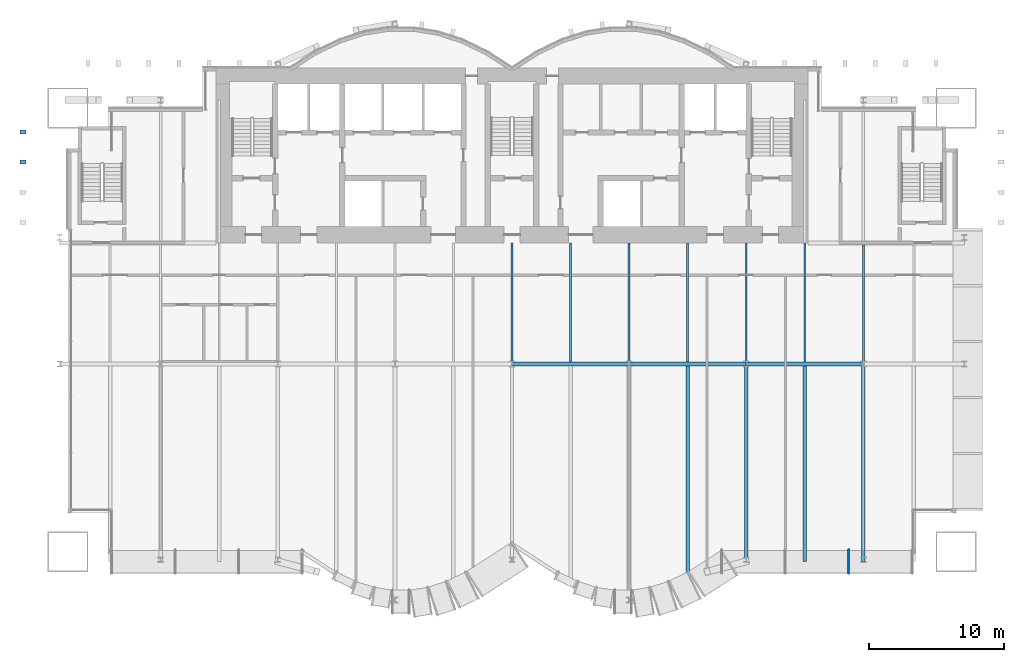
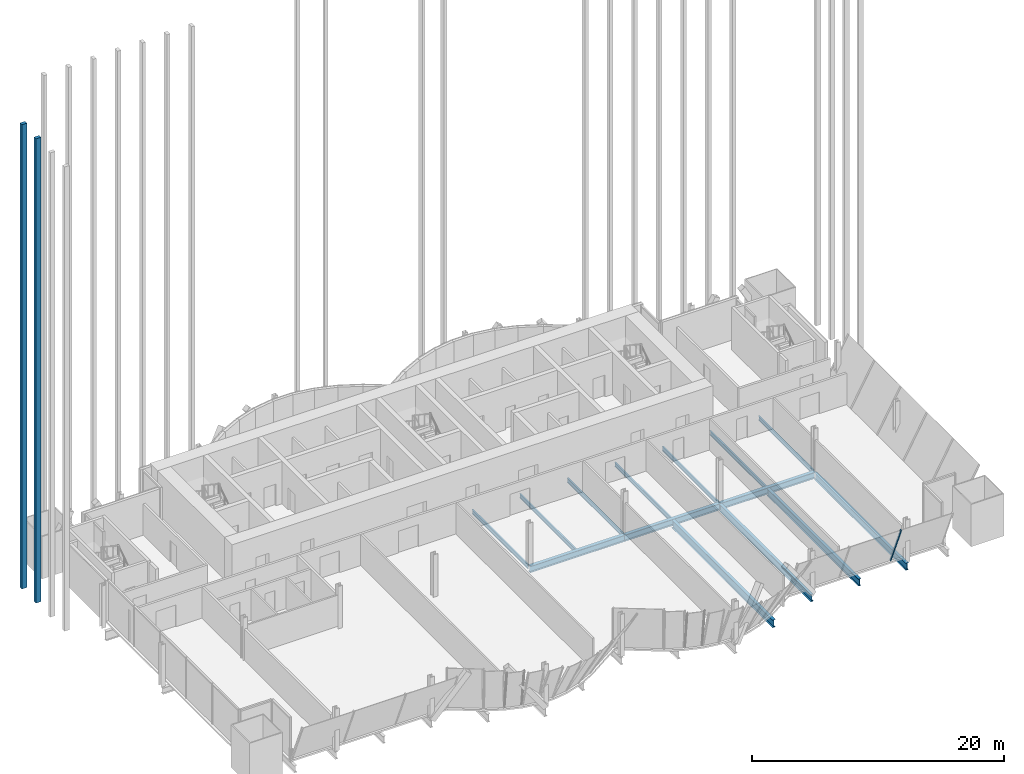
# One storey, part 8 of 22: 14 beams, 3 members, 2 elements without a shape of their own.
"""IFC4 building model written with IfcOpenShell, lengths in metres."""

from ifc_helpers import new_model, si_unit, direction, frame, origin, origin_2d, place, context, subcontext, project, spatial, rectangle, i_section, extrude, material, material_profile, profile_set, type_object, element, aggregate, save


model = new_model("IFC4")

# Units and contexts
model_context = context("Model", 3, precision=1e-05, world=origin(), true_north=direction((0.0, 1.0)))
body_context = subcontext(model_context, "Body", "Model", "MODEL_VIEW")
ifc_project = project(units=[si_unit("LENGTHUNIT", "METRE"), si_unit("AREAUNIT", "SQUARE_METRE"), si_unit("VOLUMEUNIT", "CUBIC_METRE"), si_unit("PLANEANGLEUNIT", "RADIAN"), si_unit("MASSUNIT", "GRAM", prefix="KILO")], contexts=[model_context])

# Site, building, storey
site_placement = place(None, origin())
site = spatial("IfcSite", under=ifc_project, at=site_placement, CompositionType="ELEMENT")
building_placement = place(site_placement, origin())
building = spatial("IfcBuilding", under=site, at=building_placement, Name="Bicima Exchange Tower", CompositionType="ELEMENT")
storey_placement = place(building_placement, frame((0.0, 0.0, 89.89990234375)))
storey = spatial("IfcBuildingStorey", under=building, at=storey_placement, Name="L18", CompositionType="ELEMENT", Elevation=89.89990234375)

# Beams
ifc_material_1 = material(Name="Steel ASTM A992 Gr 50", Category="steel")
ifc_material_profile_1 = material_profile(ifc_material_1, i_section(OverallWidth=0.140380859375, OverallDepth=0.40380859375, WebThickness=0.007080078125, FlangeThickness=0.01123046875, at=origin_2d()))
ifc_profile_set_1 = profile_set([ifc_material_profile_1], Name="Steel ASTM A992 Gr 50")
beam_type_1 = type_object("IfcBeamType", Name="Floor beam W16x31", PredefinedType="JOIST", material=ifc_profile_set_1)
for number, where, z_axis, x_axis, name in (
    (1, (0.0, -13.0, -0.351806640625), (0.0, -1.0, 0.0), (1.0, 0.0, 0.0), "Floor beam"),
    (2, (4.35009765625, -13.0, -0.351806640625), (0.0, -1.0, 0.0), (1.0, 0.0, 0.0), "Floor beam"),
    (3, (8.699951171875, -13.0, -0.351806640625), (0.0, -1.0, 0.0), (1.0, 0.0, 0.0), "Floor beam"),
    (4, (13.050048828125, -13.0, -0.351806640625), (0.0, -1.0, 0.0), (1.0, 0.0, 0.0), "Floor beam"),
    (5, (17.39990234375, -13.0, -0.351806640625), (0.0, -1.0, 0.0), (1.0, 0.0, 0.0), "Floor beam"),
    (6, (21.75, -13.0, -0.351806640625), (0.0, -1.0, 0.0), (1.0, 0.0, 0.0), "Floor beam"),
):
    element("IfcBeam", number, at=place(storey_placement, frame(where, z_axis=z_axis, x_axis=x_axis)), inside=storey, type_object=beam_type_1, Name=name, PredefinedType="JOIST", context=body_context, shape_type="SweptSolid", body=[
        extrude(i_section(OverallWidth=0.140380859375, OverallDepth=0.40380859375, WebThickness=0.007080078125, FlangeThickness=0.01123046875, at=origin_2d()), origin(), (0.0, 0.0, 1.0), 8.83740234375),
    ])
beam_1_placement = place(storey_placement, frame((26.10009765625, -13.15234375, -0.351806640625), z_axis=(0.0, -1.0, 0.0), x_axis=(1.0, 0.0, 0.0)))
element("IfcBeam", 7, at=beam_1_placement, inside=storey, type_object=beam_type_1, Name="Floor beam", PredefinedType="JOIST", context=body_context, shape_type="SweptSolid", body=[
    extrude(i_section(OverallWidth=0.140380859375, OverallDepth=0.40380859375, WebThickness=0.007080078125, FlangeThickness=0.01123046875, at=origin_2d()), origin(), (0.0, 0.0, 1.0), 8.68505859375),
])
ifc_material_profile_2 = material_profile(ifc_material_1, i_section(OverallWidth=0.25390625, OverallDepth=0.67822265625, WebThickness=0.01171875, FlangeThickness=0.016357421875, at=origin_2d()))
ifc_profile_set_2 = profile_set([ifc_material_profile_2], Name="Steel ASTM A992 Gr 50")
beam_type_2 = type_object("IfcBeamType", Name="Floor beam W27x84", PredefinedType="JOIST", material=ifc_profile_set_2)
for number, where, z_axis, x_axis, name in (
    (8, (17.39990234375, -22.16259765625, -0.489013671875), (0.0, -1.0, 0.0), (1.0, 0.0, 0.0), "Floor beam"),
    (9, (21.75, -22.16259765625, -0.489013671875), (0.0, -1.0, 0.0), (1.0, 0.0, 0.0), "Floor beam"),
    (10, (26.10009765625, -22.16259765625, -0.489013671875), (0.0, -1.0, 0.0), (1.0, 0.0, 0.0), "Floor beam"),
):
    element("IfcBeam", number, at=place(storey_placement, frame(where, z_axis=z_axis, x_axis=x_axis)), inside=storey, type_object=beam_type_2, Name=name, PredefinedType="JOIST", context=body_context, shape_type="SweptSolid", body=[
        extrude(i_section(OverallWidth=0.25390625, OverallDepth=0.67822265625, WebThickness=0.01171875, FlangeThickness=0.016357421875, at=origin_2d()), origin(), (0.0, 0.0, 1.0), 14.509521484375),
    ])
ifc_material_profile_3 = material_profile(ifc_material_1, i_section(OverallWidth=0.2666015625, OverallDepth=0.75439453125, WebThickness=0.01318359375, FlangeThickness=0.01708984375, at=origin_2d()))
ifc_profile_set_3 = profile_set([ifc_material_profile_3], Name="Steel ASTM A992 Gr 50")
beam_type_3 = type_object("IfcBeamType", Name="Floor beam W30x99", PredefinedType="JOIST", material=ifc_profile_set_3)
beam_2_placement = place(storey_placement, frame((13.050048828125, -22.16259765625, -0.527099609375), z_axis=(0.0, -1.0, 0.0), x_axis=(1.0, 0.0, 0.0)))
element("IfcBeam", 11, at=beam_2_placement, inside=storey, type_object=beam_type_3, Name="Floor beam", PredefinedType="JOIST", context=body_context, shape_type="SweptSolid", body=[
    extrude(i_section(OverallWidth=0.2666015625, OverallDepth=0.75439453125, WebThickness=0.01318359375, FlangeThickness=0.01708984375, at=origin_2d()), origin(), (0.0, 0.0, 1.0), 16.0048828125),
])

# Curtain wall, member
ifc_material_2 = material(Name="Anodised bronze aluminium", Category="aluminium")
curtain_wall_type_1 = type_object("IfcCurtainWallType", Name="Front glass wall", PredefinedType="NOTDEFINED", material=ifc_material_2)
curtain_wall_1_placement = place(storey_placement, origin())
curtain_wall_1 = element("IfcCurtainWall", 12, at=curtain_wall_1_placement, inside=storey, type_object=curtain_wall_type_1, Name="Canted glass wall L18 54.1", PredefinedType="NOTDEFINED")
ifc_material_profile_4 = material_profile(ifc_material_2, rectangle(XDim=0.159912109375, YDim=0.06005859375, at=origin_2d()))
ifc_profile_set_4 = profile_set([ifc_material_profile_4], Name="Anodised bronze aluminium")
member_type_1 = type_object("IfcMemberType", Name="Front glass wall mullion 60 x 160", PredefinedType="MULLION", material=ifc_profile_set_4)
member_1_placement = place(storey_placement, frame((25.01904296875, -35.842041015625, 0.0), z_axis=(0.0, -0.392560507207, 0.91972618109), x_axis=(0.0, 0.91972618109, 0.392560507207)))
member_1 = element("IfcMember", 13, at=member_1_placement, type_object=member_type_1, Name="Canted glass mullion 3", PredefinedType="MULLION", context=body_context, shape_type="SweptSolid", body=[
    extrude(rectangle(XDim=0.159912109375, YDim=0.06005859375, at=origin_2d()), origin(), (0.0, 0.0, 1.0), 4.294921875),
])
aggregate(curtain_wall_1, [member_1])

# Curtain wall, members
curtain_wall_type_2 = type_object("IfcCurtainWallType", Name="Rear blade screen", PredefinedType="NOTDEFINED", material=ifc_material_2)
curtain_wall_2_placement = place(storey_placement, origin())
curtain_wall_2 = element("IfcCurtainWall", 14, at=curtain_wall_2_placement, inside=storey, type_object=curtain_wall_type_2, Name="End blade screen L18-L28", PredefinedType="NOTDEFINED")
ifc_material_profile_5 = material_profile(ifc_material_2, rectangle(XDim=0.449951171875, YDim=0.300048828125, at=origin_2d()))
ifc_profile_set_5 = profile_set([ifc_material_profile_5], Name="Anodised bronze aluminium")
member_type_2 = type_object("IfcMemberType", Name="Rear blade fin 450 x 300", PredefinedType="USERDEFINED", material=ifc_profile_set_5)
member_2_placement = place(storey_placement, frame((-36.324951171875, -7.0, 0.0), z_axis=(0.0, 0.0, 1.0), x_axis=(1.0, 0.0, 0.0)))
member_2 = element("IfcMember", 15, at=member_2_placement, type_object=member_type_2, Name="End blade fin L18-L28 3", ObjectType="FIN", PredefinedType="USERDEFINED", context=body_context, shape_type="SweptSolid", body=[
    extrude(rectangle(XDim=0.449951171875, YDim=0.300048828125, at=origin_2d()), origin(), (0.0, 0.0, 1.0), 44.900146484375),
])
member_3_placement = place(storey_placement, frame((-36.324951171875, -4.75, 0.0), z_axis=(0.0, 0.0, 1.0), x_axis=(1.0, 0.0, 0.0)))
member_3 = element("IfcMember", 16, at=member_3_placement, type_object=member_type_2, Name="End blade fin L18-L28 4", ObjectType="FIN", PredefinedType="USERDEFINED", context=body_context, shape_type="SweptSolid", body=[
    extrude(rectangle(XDim=0.449951171875, YDim=0.300048828125, at=origin_2d()), origin(), (0.0, 0.0, 1.0), 44.900146484375),
])
aggregate(curtain_wall_2, [member_2, member_3])

# Beams
ifc_material_profile_6 = material_profile(ifc_material_1, i_section(OverallWidth=0.3251953125, OverallDepth=0.612060546875, WebThickness=0.0126953125, FlangeThickness=0.01904296875, at=origin_2d()))
ifc_profile_set_6 = profile_set([ifc_material_profile_6], Name="Steel ASTM A992 Gr 50")
beam_type_4 = type_object("IfcBeamType", Name="Row girder W24x104", PredefinedType="BEAM", material=ifc_profile_set_6)
for number, where, z_axis, x_axis, name in (
    (17, (0.0, -22.0, -0.4560546875), (1.0, 0.0, 0.0), (0.0, 1.0, 0.0), "Row girder"),
    (18, (8.699951171875, -22.0, -0.4560546875), (1.0, 0.0, 0.0), (0.0, 1.0, 0.0), "Row girder"),
):
    element("IfcBeam", number, at=place(storey_placement, frame(where, z_axis=z_axis, x_axis=x_axis)), inside=storey, type_object=beam_type_4, Name=name, PredefinedType="BEAM", context=body_context, shape_type="SweptSolid", body=[
        extrude(i_section(OverallWidth=0.3251953125, OverallDepth=0.612060546875, WebThickness=0.0126953125, FlangeThickness=0.01904296875, at=origin_2d()), origin(), (0.0, 0.0, 1.0), 8.699951171875),
    ])
beam_3_placement = place(storey_placement, frame((17.39990234375, -22.0, -0.4560546875), z_axis=(1.0, 0.0, 0.0), x_axis=(0.0, 1.0, 0.0)))
element("IfcBeam", 19, at=beam_3_placement, inside=storey, type_object=beam_type_4, Name="Row girder", PredefinedType="BEAM", context=body_context, shape_type="SweptSolid", body=[
    extrude(i_section(OverallWidth=0.3251953125, OverallDepth=0.612060546875, WebThickness=0.0126953125, FlangeThickness=0.01904296875, at=origin_2d()), origin(), (0.0, 0.0, 1.0), 8.7001953125),
])

save(model, "model.ifc")
